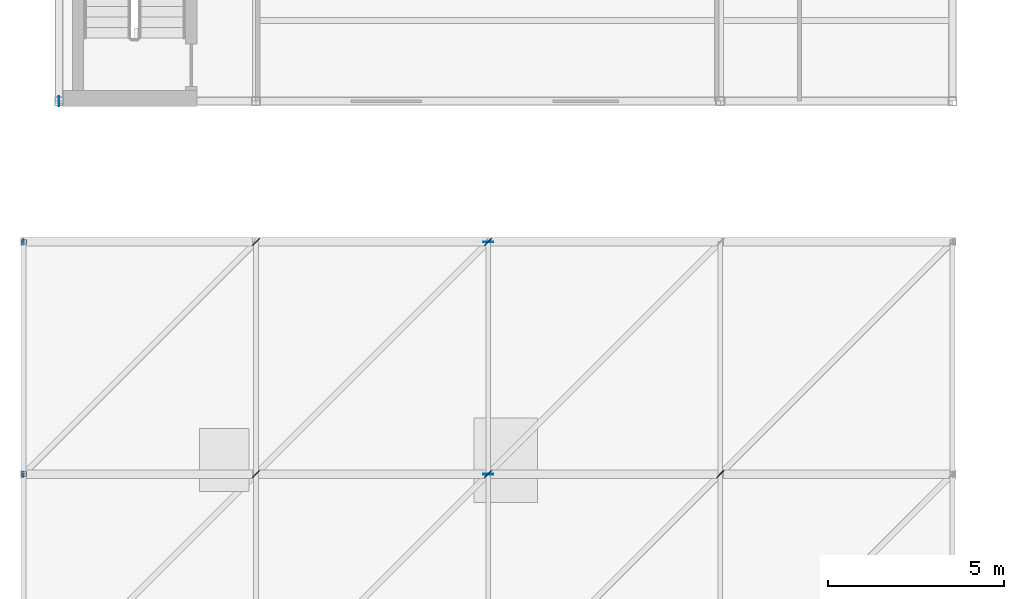
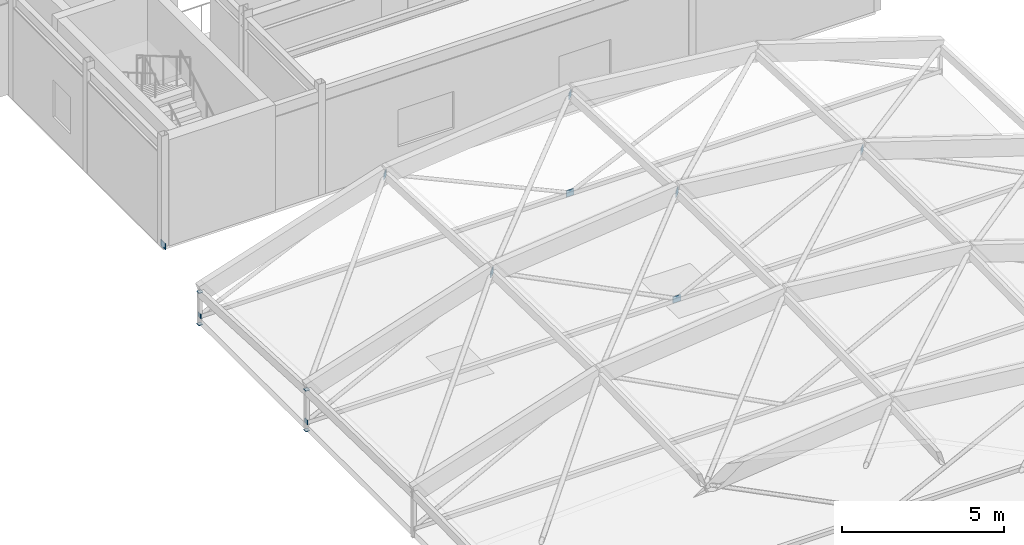
# One storey, part 124 of 157: 14 plates.
"""IFC4 building model written with IfcOpenShell, lengths in metres."""

from ifc_helpers import new_model, si_unit, direction, frame, origin, origin_2d, place, context, subcontext, project, spatial, rectangle, extrude, material, layer, layer_set, type_object, element, save


model = new_model("IFC4")

# Units and contexts
model_context = context("Model", 3, precision=1e-05, world=origin(), true_north=direction((0.0, 1.0)))
body_context = subcontext(model_context, "Body", "Model", "MODEL_VIEW")
ifc_project = project(units=[si_unit("LENGTHUNIT", "METRE"), si_unit("AREAUNIT", "SQUARE_METRE"), si_unit("VOLUMEUNIT", "CUBIC_METRE"), si_unit("PLANEANGLEUNIT", "RADIAN"), si_unit("MASSUNIT", "GRAM", prefix="KILO")], contexts=[model_context])

# Site, building, storey
site_placement = place(None, origin())
site = spatial("IfcSite", under=ifc_project, at=site_placement, CompositionType="ELEMENT")
building_placement = place(site_placement, origin())
building = spatial("IfcBuilding", under=site, at=building_placement, Name="Karori Crest Natural Sciences Institute", CompositionType="ELEMENT")
storey_placement = place(building_placement, frame((0.0, 0.0, 13.300048828125)))
storey = spatial("IfcBuildingStorey", under=building, at=storey_placement, Name="L03", CompositionType="ELEMENT", Elevation=13.300048828125)

# Plates
ifc_material = material(Name="Structural steel AS/NZS 3679.1 Grade 350", Category="steel")
ifc_layer_1 = layer(ifc_material, 0.02490234375, Name="Structural steel AS/NZS 3679.1 Grade 350")
ifc_layer_set_1 = layer_set([ifc_layer_1], Name="Structural steel AS/NZS 3679.1 Grade 350")
plate_type_1 = type_object("IfcPlateType", Name="PLT-06", PredefinedType="SHEET", material=ifc_layer_set_1)
plate_1_placement = place(storey_placement, frame((0.78759765625, 20.60009765625, 0.034912109375), z_axis=(0.0, 0.0, 1.0), x_axis=(1.0, 0.0, 0.0)))
element("IfcPlate", 1, at=plate_1_placement, inside=storey, type_object=plate_type_1, Name="Hollow section end cap EP-0298", PredefinedType="SHEET", context=body_context, shape_type="SweptSolid", body=[
    extrude(rectangle(XDim=0.02490234375, YDim=0.169921875, at=origin_2d()), origin(), (0.0, 0.0, 1.0), 0.169921875),
])
plate_2_placement = place(storey_placement, frame((14.0, 20.60009765625, 0.0), z_axis=(0.0, 0.0, 1.0), x_axis=(1.0, 0.0, 0.0)))
element("IfcPlate", 2, at=plate_2_placement, inside=storey, type_object=plate_type_1, Name="Brace gusset plate EP-0301", PredefinedType="SHEET", context=body_context, shape_type="SweptSolid", body=[
    extrude(rectangle(XDim=0.280029296875, YDim=0.02490234375, at=origin_2d()), origin(), (0.0, 0.0, 1.0), 0.239990234375),
])
plate_3_placement = place(storey_placement, frame((0.78759765625, 27.199951171875, 0.034912109375), z_axis=(0.0, 0.0, 1.0), x_axis=(1.0, 0.0, 0.0)))
element("IfcPlate", 3, at=plate_3_placement, inside=storey, type_object=plate_type_1, Name="Hollow section end cap EP-0308", PredefinedType="SHEET", context=body_context, shape_type="SweptSolid", body=[
    extrude(rectangle(XDim=0.02490234375, YDim=0.169921875, at=origin_2d()), origin(), (0.0, 0.0, 1.0), 0.169921875),
])
plate_4_placement = place(storey_placement, frame((14.0, 27.199951171875, 0.0), z_axis=(0.0, 0.0, 1.0), x_axis=(1.0, 0.0, 0.0)))
element("IfcPlate", 4, at=plate_4_placement, inside=storey, type_object=plate_type_1, Name="Brace gusset plate EP-0310", PredefinedType="SHEET", context=body_context, shape_type="SweptSolid", body=[
    extrude(rectangle(XDim=0.280029296875, YDim=0.02490234375, at=origin_2d()), origin(), (0.0, 0.0, 1.0), 0.239990234375),
])
ifc_layer_2 = layer(ifc_material, 0.02490234375, Name="Structural steel AS/NZS 3679.1 Grade 350")
ifc_layer_set_2 = layer_set([ifc_layer_2], Name="Structural steel AS/NZS 3679.1 Grade 350")
plate_type_2 = type_object("IfcPlateType", Name="PLT-06-EL", PredefinedType="SHEET", material=ifc_layer_set_2)
for number, where, z_axis, x_axis, name in (
    (5, (1.800048828125, 31.199951171875, -0.10986328125), (0.0, 0.0, 1.0), (0.0, 1.0, 0.0), "Brace gusset plate EP-0253"),
    (6, (7.39990234375, 20.60009765625, 3.3056640625), (0.0, 0.0, 1.0), (0.707106781187, 0.707106781187, 0.0), "Brace gusset plate EP-0290"),
    (7, (14.0, 20.60009765625, 4.01806640625), (0.0, 0.0, 1.0), (0.707106781187, 0.707106781187, 0.0), "Brace gusset plate EP-0292"),
    (8, (20.60009765625, 20.60009765625, 3.3056640625), (0.0, 0.0, 1.0), (0.707106781187, 0.707106781187, 0.0), "Brace gusset plate EP-0293"),
):
    element("IfcPlate", number, at=place(storey_placement, frame(where, z_axis=z_axis, x_axis=x_axis)), inside=storey, type_object=plate_type_2, Name=name, PredefinedType="SHEET", context=body_context, shape_type="SweptSolid", body=[
        extrude(rectangle(XDim=0.280029296875, YDim=0.02490234375, at=origin_2d()), origin(), (0.0, 0.0, 1.0), 0.239990234375),
    ])
for number, where, z_axis, x_axis, name in (
    (9, (0.800048828125, 20.60009765625, -0.22509765625), (0.0, 0.0, 1.0), (1.0, 0.0, 0.0), "Hollow section end cap EP-0295"),
    (10, (0.800048828125, 20.60009765625, 1.30810546875), (0.0, 0.0, 1.0), (1.0, 0.0, 0.0), "Hollow section end cap EP-0296"),
):
    element("IfcPlate", number, at=place(storey_placement, frame(where, z_axis=z_axis, x_axis=x_axis)), inside=storey, type_object=plate_type_2, Name=name, PredefinedType="SHEET", context=body_context, shape_type="SweptSolid", body=[
        extrude(rectangle(XDim=0.14501953125, YDim=0.14501953125, at=origin_2d()), origin(), (0.0, 0.0, 1.0), 0.02490234375),
    ])
for number, where, z_axis, x_axis, name in (
    (11, (7.39990234375, 27.199951171875, 2.9873046875), (0.0, 0.0, 1.0), (0.707106781187, 0.707106781187, 0.0), "Brace gusset plate EP-0300"),
    (12, (14.0, 27.199951171875, 3.7001953125), (0.0, 0.0, 1.0), (0.707106781187, 0.707106781187, 0.0), "Brace gusset plate EP-0302"),
):
    element("IfcPlate", number, at=place(storey_placement, frame(where, z_axis=z_axis, x_axis=x_axis)), inside=storey, type_object=plate_type_2, Name=name, PredefinedType="SHEET", context=body_context, shape_type="SweptSolid", body=[
        extrude(rectangle(XDim=0.280029296875, YDim=0.02490234375, at=origin_2d()), origin(), (0.0, 0.0, 1.0), 0.239990234375),
    ])
for number, where, z_axis, x_axis, name in (
    (13, (0.800048828125, 27.199951171875, -0.22509765625), (0.0, 0.0, 1.0), (1.0, 0.0, 0.0), "Hollow section end cap EP-0305"),
    (14, (0.800048828125, 27.199951171875, 0.989990234375), (0.0, 0.0, 1.0), (1.0, 0.0, 0.0), "Hollow section end cap EP-0306"),
):
    element("IfcPlate", number, at=place(storey_placement, frame(where, z_axis=z_axis, x_axis=x_axis)), inside=storey, type_object=plate_type_2, Name=name, PredefinedType="SHEET", context=body_context, shape_type="SweptSolid", body=[
        extrude(rectangle(XDim=0.14501953125, YDim=0.14501953125, at=origin_2d()), origin(), (0.0, 0.0, 1.0), 0.02490234375),
    ])

save(model, "model.ifc")
